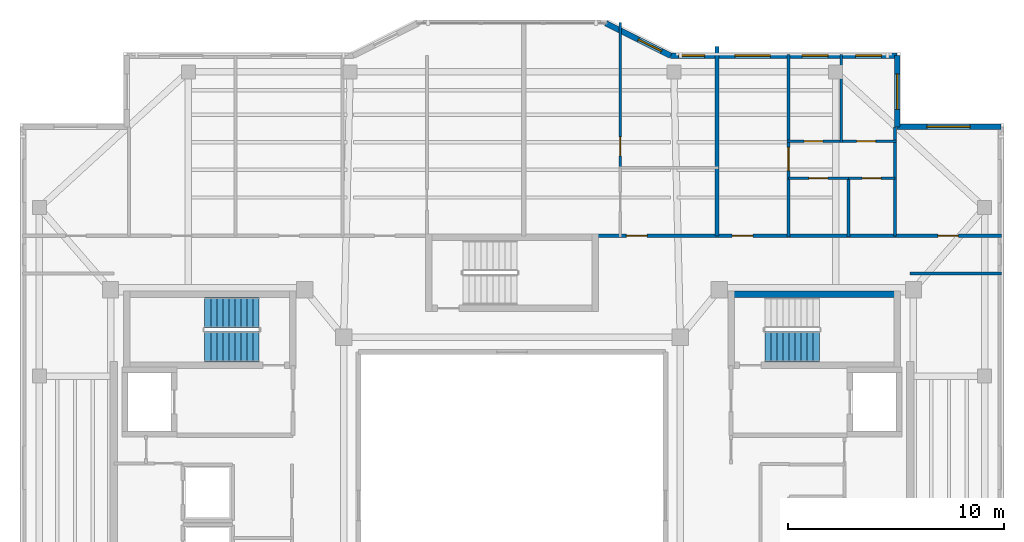
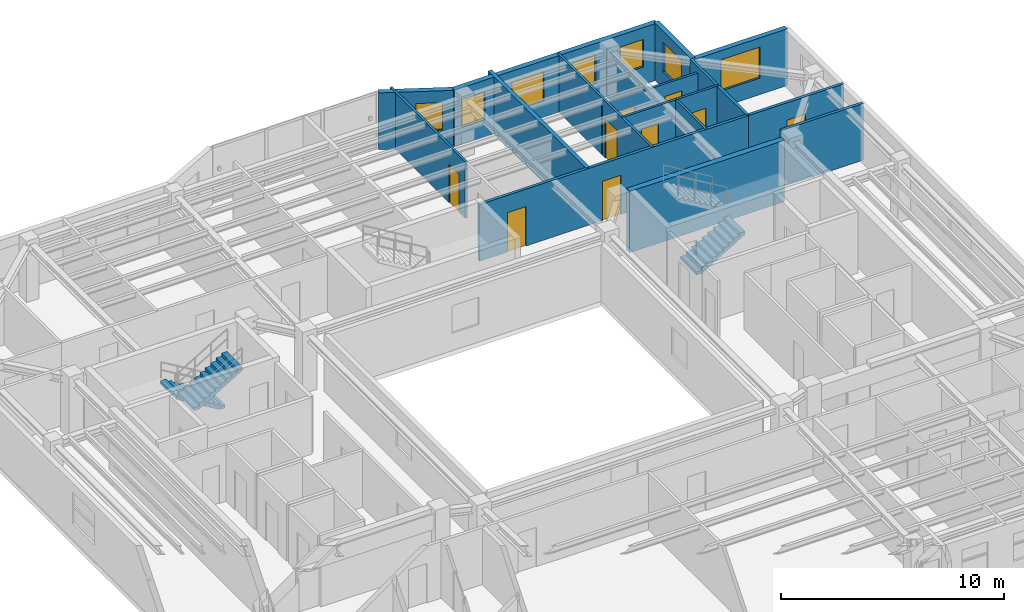
# One storey, part 10 of 14: 17 walls, 9 doors, 7 windows, 3 stair flights, 16 openings, 2 elements without a shape of their own.
"""IFC4 building model written with IfcOpenShell, lengths in metres."""

from ifc_helpers import new_model, si_unit, direction, frame, frame_2d, origin, place, context, subcontext, project, spatial, polyline, rectangle, outline, extrude, material, layer, layer_set, type_object, element, fill, aggregate, save


model = new_model("IFC4")

# Units and contexts
model_context = context("Model", 3, precision=1e-05, world=origin(), true_north=direction((0.0, 1.0)))
body_context = subcontext(model_context, "Body", "Model", "MODEL_VIEW")
ifc_project = project(units=[si_unit("LENGTHUNIT", "METRE"), si_unit("AREAUNIT", "SQUARE_METRE"), si_unit("VOLUMEUNIT", "CUBIC_METRE"), si_unit("PLANEANGLEUNIT", "RADIAN"), si_unit("MASSUNIT", "GRAM", prefix="KILO")], contexts=[model_context])

# Site, building, storey
site_placement = place(None, origin())
site = spatial("IfcSite", under=ifc_project, at=site_placement, CompositionType="ELEMENT")
building_placement = place(site_placement, origin())
building = spatial("IfcBuilding", under=site, at=building_placement, Name="Tarnavaz Court Tower", CompositionType="ELEMENT")
storey_placement = place(building_placement, frame((0.0, 0.0, 254.89990234375)))
storey = spatial("IfcBuildingStorey", under=building, at=storey_placement, Name="L69", CompositionType="ELEMENT", Elevation=254.89990234375)

# Wall
ifc_material_1 = material(Name="Concrete C50/60", Category="concrete")
ifc_layer_1 = layer(ifc_material_1, 0.300048828125)
ifc_layer_set_1 = layer_set([ifc_layer_1], Name="Concrete C50/60")
wall_type_1 = type_object("IfcWallType", Name="WL-CORE-300-C50", PredefinedType="SHEAR", material=ifc_layer_set_1)
wall_1_placement = place(storey_placement, frame((10.0, 9.7900390625, 0.0), z_axis=(0.0, 0.0, 1.0), x_axis=(1.0, 0.0, 0.0)))
element("IfcWall", 1, at=wall_1_placement, inside=storey, type_object=wall_type_1, Name="L69 East Stair Core Wall 005", PredefinedType="SHEAR", context=body_context, shape_type="SweptSolid", body=[
    extrude(rectangle(XDim=8.0, YDim=0.300048828125, at=frame_2d((4.0, 0.0))), origin(), (0.0, 0.0, 1.0), 3.35009765625),
])

# Wall, opening, window
ifc_material_2 = material(Name="Precast Concrete C40/50", Category="concrete")
ifc_layer_2 = layer(ifc_material_2, 0.260009765625)
ifc_layer_set_2 = layer_set([ifc_layer_2], Name="Precast Concrete C40/50")
wall_type_2 = type_object("IfcWallType", Name="WL-EXT-260", PredefinedType="SOLIDWALL", material=ifc_layer_set_2)
wall_2_placement = place(storey_placement, frame((4.35009765625, 22.35009765625, 0.0), z_axis=(0.0, 0.0, 1.0), x_axis=(0.894427191, -0.4472135955, 0.0)))
wall_2 = element("IfcWall", 2, at=wall_2_placement, inside=storey, type_object=wall_type_2, Name="L69 Exterior Terracotta Facade Wall 08", PredefinedType="SOLIDWALL", context=body_context, shape_type="SweptSolid", body=[
    extrude(rectangle(XDim=3.35400390625, YDim=0.260009765625, at=frame_2d((1.677001953125, 0.0))), origin(), (0.0, 0.0, 1.0), 3.10009765625),
])
opening_1_placement = place(wall_2_placement, frame((1.677978515625, 0.0, 0.949951171875)))
opening_1 = element("IfcOpeningElement", 3, at=opening_1_placement, cuts=wall_2, Name="Opening W05", PredefinedType="OPENING", context=body_context, shape_type="SweptSolid", body=[
    extrude(rectangle(XDim=1.199951171875, YDim=1.5, at=frame_2d((0.60009765625, 0.75))), frame((0.0, 0.139892578125, 0.0), z_axis=(0.0, -1.0, 0.0), x_axis=(1.0, 0.0, 0.0)), (0.0, 0.0, 1.0), 0.280029296875),
])
ifc_material_3 = material(Name="Double-Glazed Solar Low-E Glass", Category="glass")
window_type_1 = type_object("IfcWindowType", Name="WN-APT-1200", PartitioningType="SINGLE_PANEL", PredefinedType="WINDOW", material=ifc_material_3)
window_1_placement = place(opening_1_placement, origin())
window_1 = element("IfcWindow", 4, at=window_1_placement, inside=storey, type_object=window_type_1, Name="L69 Flat 01 Kitchen Window", OverallHeight=1.5, OverallWidth=1.199951171875, PartitioningType="SINGLE_PANEL", PredefinedType="WINDOW", context=body_context, shape_type="SweptSolid", body=[
    extrude(rectangle(XDim=1.199951171875, YDim=1.5, at=frame_2d((0.60009765625, 0.75))), frame((0.0, 0.030029296875, 0.0), z_axis=(0.0, -1.0, 0.0), x_axis=(1.0, 0.0, 0.0)), (0.0, 0.0, 1.0), 0.06005859375),
])
fill(opening_1, window_1)

# Wall, openings, windows
wall_3_placement = place(storey_placement, frame((7.35009765625, 20.85009765625, 0.0), z_axis=(0.0, 0.0, 1.0), x_axis=(1.0, 0.0, 0.0)))
wall_3 = element("IfcWall", 5, at=wall_3_placement, inside=storey, type_object=wall_type_2, Name="L69 Exterior Terracotta Facade Wall 09", PredefinedType="SOLIDWALL", context=body_context, shape_type="SweptSolid", body=[
    extrude(rectangle(XDim=10.5, YDim=0.260009765625, at=frame_2d((5.25, 0.0))), origin(), (0.0, 0.0, 1.0), 3.10009765625),
])
opening_2_placement = place(wall_3_placement, frame((0.375, 0.0, 0.949951171875)))
opening_2 = element("IfcOpeningElement", 6, at=opening_2_placement, cuts=wall_3, Name="Opening W05", PredefinedType="OPENING", context=body_context, shape_type="SweptSolid", body=[
    extrude(rectangle(XDim=1.199951171875, YDim=1.5, at=frame_2d((0.60009765625, 0.75))), frame((0.0, 0.139892578125, 0.0), z_axis=(0.0, -1.0, 0.0), x_axis=(1.0, 0.0, 0.0)), (0.0, 0.0, 1.0), 0.280029296875),
])
opening_3_placement = place(wall_3_placement, frame((2.97509765625, 0.0, 0.89990234375)))
opening_3 = element("IfcOpeningElement", 7, at=opening_3_placement, cuts=wall_3, Name="Opening W02", PredefinedType="OPENING", context=body_context, shape_type="SweptSolid", body=[
    extrude(rectangle(XDim=1.64990234375, YDim=1.60009765625, at=frame_2d((0.824951171875, 0.800048828125))), frame((0.0, 0.139892578125, 0.0), z_axis=(0.0, -1.0, 0.0), x_axis=(1.0, 0.0, 0.0)), (0.0, 0.0, 1.0), 0.280029296875),
])
opening_4_placement = place(wall_3_placement, frame((6.10009765625, 0.0, 0.949951171875)))
opening_4 = element("IfcOpeningElement", 8, at=opening_4_placement, cuts=wall_3, Name="Opening W05", PredefinedType="OPENING", context=body_context, shape_type="SweptSolid", body=[
    extrude(rectangle(XDim=1.199951171875, YDim=1.5, at=frame_2d((0.60009765625, 0.75))), frame((0.0, 0.139892578125, 0.0), z_axis=(0.0, -1.0, 0.0), x_axis=(1.0, 0.0, 0.0)), (0.0, 0.0, 1.0), 0.280029296875),
])
opening_5_placement = place(wall_3_placement, frame((8.574951171875, 0.0, 0.949951171875)))
opening_5 = element("IfcOpeningElement", 9, at=opening_5_placement, cuts=wall_3, Name="Opening W05", PredefinedType="OPENING", context=body_context, shape_type="SweptSolid", body=[
    extrude(rectangle(XDim=1.199951171875, YDim=1.5, at=frame_2d((0.60009765625, 0.75))), frame((0.0, 0.139892578125, 0.0), z_axis=(0.0, -1.0, 0.0), x_axis=(1.0, 0.0, 0.0)), (0.0, 0.0, 1.0), 0.280029296875),
])
window_2_placement = place(opening_2_placement, origin())
window_2 = element("IfcWindow", 10, at=window_2_placement, inside=storey, type_object=window_type_1, Name="L69 Flat 01 Kitchen Window", OverallHeight=1.5, OverallWidth=1.199951171875, PartitioningType="SINGLE_PANEL", PredefinedType="WINDOW", context=body_context, shape_type="SweptSolid", body=[
    extrude(rectangle(XDim=1.199951171875, YDim=1.5, at=frame_2d((0.60009765625, 0.75))), frame((0.0, 0.030029296875, 0.0), z_axis=(0.0, -1.0, 0.0), x_axis=(1.0, 0.0, 0.0)), (0.0, 0.0, 1.0), 0.06005859375),
])
fill(opening_2, window_2)
window_3_placement = place(opening_4_placement, origin())
window_3 = element("IfcWindow", 11, at=window_3_placement, inside=storey, type_object=window_type_1, Name="L69 Flat 02 Principal Bedroom Window", OverallHeight=1.5, OverallWidth=1.199951171875, PartitioningType="SINGLE_PANEL", PredefinedType="WINDOW", context=body_context, shape_type="SweptSolid", body=[
    extrude(rectangle(XDim=1.199951171875, YDim=1.5, at=frame_2d((0.60009765625, 0.75))), frame((0.0, 0.030029296875, 0.0), z_axis=(0.0, -1.0, 0.0), x_axis=(1.0, 0.0, 0.0)), (0.0, 0.0, 1.0), 0.06005859375),
])
fill(opening_4, window_3)
window_4_placement = place(opening_5_placement, origin())
window_4 = element("IfcWindow", 12, at=window_4_placement, inside=storey, type_object=window_type_1, Name="L69 Flat 02 Bedroom 2 Window", OverallHeight=1.5, OverallWidth=1.199951171875, PartitioningType="SINGLE_PANEL", PredefinedType="WINDOW", context=body_context, shape_type="SweptSolid", body=[
    extrude(rectangle(XDim=1.199951171875, YDim=1.5, at=frame_2d((0.60009765625, 0.75))), frame((0.0, 0.030029296875, 0.0), z_axis=(0.0, -1.0, 0.0), x_axis=(1.0, 0.0, 0.0)), (0.0, 0.0, 1.0), 0.06005859375),
])
fill(opening_5, window_4)
window_type_2 = type_object("IfcWindowType", Name="WN-APT-1650", PartitioningType="DOUBLE_PANEL_VERTICAL", PredefinedType="WINDOW", material=ifc_material_3)
window_5_placement = place(opening_3_placement, origin())
window_5 = element("IfcWindow", 13, at=window_5_placement, inside=storey, type_object=window_type_2, Name="L69 Flat 02 Living and Dining Room Window", OverallHeight=1.60009765625, OverallWidth=1.64990234375, PartitioningType="SINGLE_PANEL", PredefinedType="WINDOW", context=body_context, shape_type="SweptSolid", body=[
    extrude(rectangle(XDim=1.64990234375, YDim=1.60009765625, at=frame_2d((0.824951171875, 0.800048828125))), frame((0.0, 0.030029296875, 0.0), z_axis=(0.0, -1.0, 0.0), x_axis=(1.0, 0.0, 0.0)), (0.0, 0.0, 1.0), 0.06005859375),
])
fill(opening_3, window_5)

# Wall, opening, window
wall_4_placement = place(storey_placement, frame((17.85009765625, 20.85009765625, 0.0), z_axis=(0.0, 0.0, 1.0), x_axis=(0.0, -1.0, 0.0)))
wall_4 = element("IfcWall", 14, at=wall_4_placement, inside=storey, type_object=wall_type_2, Name="L69 Exterior Terracotta Facade Wall 10", PredefinedType="SOLIDWALL", context=body_context, shape_type="SweptSolid", body=[
    extrude(rectangle(XDim=3.300048828125, YDim=0.260009765625, at=frame_2d((1.64990234375, 0.0))), origin(), (0.0, 0.0, 1.0), 3.10009765625),
])
opening_6_placement = place(wall_4_placement, frame((0.842529296875, 0.0, 0.89990234375)))
opening_6 = element("IfcOpeningElement", 15, at=opening_6_placement, cuts=wall_4, Name="Opening W02", PredefinedType="OPENING", context=body_context, shape_type="SweptSolid", body=[
    extrude(rectangle(XDim=1.64990234375, YDim=1.60009765625, at=frame_2d((0.824951171875, 0.800048828125))), frame((0.0, 0.139892578125, 0.0), z_axis=(0.0, -1.0, 0.0), x_axis=(1.0, 0.0, 0.0)), (0.0, 0.0, 1.0), 0.280029296875),
])
window_6_placement = place(opening_6_placement, origin())
window_6 = element("IfcWindow", 16, at=window_6_placement, inside=storey, type_object=window_type_2, Name="L69 Flat 02 Bedroom 2 Window", OverallHeight=1.60009765625, OverallWidth=1.64990234375, PartitioningType="SINGLE_PANEL", PredefinedType="WINDOW", context=body_context, shape_type="SweptSolid", body=[
    extrude(rectangle(XDim=1.64990234375, YDim=1.60009765625, at=frame_2d((0.824951171875, 0.800048828125))), frame((0.0, 0.030029296875, 0.0), z_axis=(0.0, -1.0, 0.0), x_axis=(1.0, 0.0, 0.0)), (0.0, 0.0, 1.0), 0.06005859375),
])
fill(opening_6, window_6)

wall_5_placement = place(storey_placement, frame((17.85009765625, 17.550048828125, 0.0), z_axis=(0.0, 0.0, 1.0), x_axis=(1.0, 0.0, 0.0)))
wall_5 = element("IfcWall", 17, at=wall_5_placement, inside=storey, type_object=wall_type_2, Name="L69 Exterior Terracotta Facade Wall 11", PredefinedType="SOLIDWALL", context=body_context, shape_type="SweptSolid", body=[
    extrude(rectangle(XDim=4.7998046875, YDim=0.260009765625, at=frame_2d((2.39990234375, 0.0))), origin(), (0.0, 0.0, 1.0), 3.10009765625),
])
opening_7_placement = place(wall_5_placement, frame((1.374755859375, 0.0, 0.89990234375)))
opening_7 = element("IfcOpeningElement", 18, at=opening_7_placement, cuts=wall_5, Name="Opening W08", PredefinedType="OPENING", context=body_context, shape_type="SweptSolid", body=[
    extrude(rectangle(XDim=2.0, YDim=1.699951171875, at=frame_2d((1.0, 0.85009765625))), frame((0.0, 0.139892578125, 0.0), z_axis=(0.0, -1.0, 0.0), x_axis=(1.0, 0.0, 0.0)), (0.0, 0.0, 1.0), 0.280029296875),
])
window_type_3 = type_object("IfcWindowType", Name="WN-APT-2000", PartitioningType="DOUBLE_PANEL_VERTICAL", PredefinedType="WINDOW", material=ifc_material_3)
window_7_placement = place(opening_7_placement, origin())
window_7 = element("IfcWindow", 19, at=window_7_placement, inside=storey, type_object=window_type_3, Name="L69 North-East Corner Sunroom Study Window", OverallHeight=1.699951171875, OverallWidth=2.0, PartitioningType="SINGLE_PANEL", PredefinedType="WINDOW", context=body_context, shape_type="SweptSolid", body=[
    extrude(rectangle(XDim=2.0, YDim=1.699951171875, at=frame_2d((1.0, 0.85009765625))), frame((0.0, 0.030029296875, 0.0), z_axis=(0.0, -1.0, 0.0), x_axis=(1.0, 0.0, 0.0)), (0.0, 0.0, 1.0), 0.06005859375),
])
fill(opening_7, window_7)

# Wall, openings, doors
ifc_material_4 = material(Name="Gypsum Fire-Board on Acoustic Metal Stud", Category="masonry")
ifc_layer_3 = layer(ifc_material_4, 0.14990234375)
ifc_layer_set_3 = layer_set([ifc_layer_3], Name="Gypsum Fire-Board on Acoustic Metal Stud")
wall_type_3 = type_object("IfcWallType", Name="WL-FIRE-150", PredefinedType="PARTITIONING", material=ifc_layer_set_3)
wall_6_placement = place(storey_placement, frame((3.85009765625, 12.5, 0.0), z_axis=(0.0, 0.0, 1.0), x_axis=(1.0, 0.0, 0.0)))
wall_6 = element("IfcWall", 20, at=wall_6_placement, inside=storey, type_object=wall_type_3, Name="L69 NE Wing Corridor Wall 061", PredefinedType="PARTITIONING", context=body_context, shape_type="SweptSolid", body=[
    extrude(rectangle(XDim=13.89990234375, YDim=0.14990234375, at=frame_2d((6.949951171875, 0.0))), origin(), (0.0, 0.0, 1.0), 3.10009765625),
])
opening_8_placement = place(wall_6_placement, frame((1.449951171875, 0.0, 0.0)))
opening_8 = element("IfcOpeningElement", 21, at=opening_8_placement, cuts=wall_6, Name="Opening D06", PredefinedType="OPENING", context=body_context, shape_type="SweptSolid", body=[
    extrude(rectangle(XDim=0.9599609375, YDim=2.14990234375, at=frame_2d((0.47998046875, 1.074951171875))), frame((0.0, 0.0849609375, 0.0), z_axis=(0.0, -1.0, 0.0), x_axis=(1.0, 0.0, 0.0)), (0.0, 0.0, 1.0), 0.169921875),
])
opening_9_placement = place(wall_6_placement, frame((6.35009765625, 0.0, 0.0)))
opening_9 = element("IfcOpeningElement", 22, at=opening_9_placement, cuts=wall_6, Name="Opening D06", PredefinedType="OPENING", context=body_context, shape_type="SweptSolid", body=[
    extrude(rectangle(XDim=0.9599609375, YDim=2.14990234375, at=frame_2d((0.47998046875, 1.074951171875))), frame((0.0, 0.0849609375, 0.0), z_axis=(0.0, -1.0, 0.0), x_axis=(1.0, 0.0, 0.0)), (0.0, 0.0, 1.0), 0.169921875),
])
ifc_material_5 = material(Name="Fire-Rated Hardwood Timber Core", Category="wood")
door_type_1 = type_object("IfcDoorType", Name="DR-FD60-950", OperationType="NOTDEFINED", PredefinedType="DOOR", material=ifc_material_5)
door_1_placement = place(opening_8_placement, origin())
door_1 = element("IfcDoor", 23, at=door_1_placement, inside=storey, type_object=door_type_1, Name="L69 Flat 01 Entrance Door", OperationType="SINGLE_SWING_RIGHT", OverallHeight=2.14990234375, OverallWidth=0.9599609375, PredefinedType="DOOR", context=body_context, shape_type="SweptSolid", body=[
    extrude(rectangle(XDim=0.9599609375, YDim=2.14990234375, at=frame_2d((0.47998046875, 1.074951171875))), frame((0.0, 0.02490234375, 0.0), z_axis=(0.0, -1.0, 0.0), x_axis=(1.0, 0.0, 0.0)), (0.0, 0.0, 1.0), 0.050048828125),
])
fill(opening_8, door_1)
door_2_placement = place(opening_9_placement, origin())
door_2 = element("IfcDoor", 24, at=door_2_placement, inside=storey, type_object=door_type_1, Name="L69 Flat 02 Entrance Door", OperationType="SINGLE_SWING_LEFT", OverallHeight=2.14990234375, OverallWidth=0.9599609375, PredefinedType="DOOR", context=body_context, shape_type="SweptSolid", body=[
    extrude(rectangle(XDim=0.9599609375, YDim=2.14990234375, at=frame_2d((0.47998046875, 1.074951171875))), frame((0.0, 0.02490234375, 0.0), z_axis=(0.0, -1.0, 0.0), x_axis=(1.0, 0.0, 0.0)), (0.0, 0.0, 1.0), 0.050048828125),
])
fill(opening_9, door_2)

# Wall
wall_7_placement = place(storey_placement, frame((18.449951171875, 10.75, 0.0), z_axis=(0.0, 0.0, 1.0), x_axis=(1.0, 0.0, 0.0)))
element("IfcWall", 25, at=wall_7_placement, inside=storey, type_object=wall_type_3, Name="L69 Interior Partition 099", PredefinedType="PARTITIONING", context=body_context, shape_type="SweptSolid", body=[
    extrude(rectangle(XDim=4.22998046875, YDim=0.14990234375, at=frame_2d((2.114990234375, 0.0))), origin(), (0.0, 0.0, 1.0), 3.10009765625),
])

# Wall, opening, door
wall_8_placement = place(storey_placement, frame((17.75, 12.5, 0.0), z_axis=(0.0, 0.0, 1.0), x_axis=(1.0, 0.0, 0.0)))
wall_8 = element("IfcWall", 26, at=wall_8_placement, inside=storey, type_object=wall_type_3, Name="L69 Interior Partition 105", PredefinedType="PARTITIONING", context=body_context, shape_type="SweptSolid", body=[
    extrude(rectangle(XDim=4.929931640625, YDim=0.14990234375, at=frame_2d((2.46484375, 0.0))), origin(), (0.0, 0.0, 1.0), 3.10009765625),
])
opening_10_placement = place(wall_8_placement, frame((1.989990234375, 0.0, 0.0)))
opening_10 = element("IfcOpeningElement", 27, at=opening_10_placement, cuts=wall_8, Name="Opening D13", PredefinedType="OPENING", context=body_context, shape_type="SweptSolid", body=[
    extrude(rectangle(XDim=0.949951171875, YDim=2.14990234375, at=frame_2d((0.47509765625, 1.074951171875))), frame((0.0, 0.0849609375, 0.0), z_axis=(0.0, -1.0, 0.0), x_axis=(1.0, 0.0, 0.0)), (0.0, 0.0, 1.0), 0.169921875),
])
ifc_material_6 = material(Name="Engineered Oak Timber", Category="wood")
door_type_2 = type_object("IfcDoorType", Name="DR-INT-950", OperationType="NOTDEFINED", PredefinedType="DOOR", material=ifc_material_6)
door_3_placement = place(opening_10_placement, origin())
door_3 = element("IfcDoor", 28, at=door_3_placement, inside=storey, type_object=door_type_2, Name="L69 NE Sunroom Door", OperationType="SINGLE_SWING_LEFT", OverallHeight=2.14990234375, OverallWidth=0.949951171875, PredefinedType="DOOR", context=body_context, shape_type="SweptSolid", body=[
    extrude(rectangle(XDim=0.949951171875, YDim=2.14990234375, at=frame_2d((0.47509765625, 1.074951171875))), frame((0.0, 0.02490234375, 0.0), z_axis=(0.0, -1.0, 0.0), x_axis=(1.0, 0.0, 0.0)), (0.0, 0.0, 1.0), 0.050048828125),
])
fill(opening_10, door_3)

# Wall
ifc_material_7 = material(Name="Autoclaved Aerated Concrete Blockwork", Category="masonry")
ifc_layer_4 = layer(ifc_material_7, 0.199951171875)
ifc_layer_set_4 = layer_set([ifc_layer_4], Name="Autoclaved Aerated Concrete Blockwork")
wall_type_4 = type_object("IfcWallType", Name="WL-FIRE-200", PredefinedType="SOLIDWALL", material=ifc_layer_set_4)
wall_9_placement = place(storey_placement, frame((9.5, 12.5, 0.0), z_axis=(0.0, 0.0, 1.0), x_axis=(0.0, 1.0, 0.0)))
element("IfcWall", 29, at=wall_9_placement, inside=storey, type_object=wall_type_4, Name="L69 Party Wall 068", PredefinedType="SOLIDWALL", context=body_context, shape_type="SweptSolid", body=[
    extrude(rectangle(XDim=8.77001953125, YDim=0.199951171875, at=frame_2d((4.385009765625, 0.0))), origin(), (0.0, 0.0, 1.0), 3.10009765625),
])

# Wall, opening, door
ifc_material_8 = material(Name="Moisture-Resistant Gypsum Board Partition", Category="masonry")
ifc_layer_5 = layer(ifc_material_8, 0.1201171875)
ifc_layer_set_5 = layer_set([ifc_layer_5], Name="Moisture-Resistant Gypsum Board Partition")
wall_type_5 = type_object("IfcWallType", Name="WL-PART-120", PredefinedType="PARTITIONING", material=ifc_layer_set_5)
wall_10_placement = place(storey_placement, frame((5.02490234375, 15.64990234375, 0.0), z_axis=(0.0, 0.0, 1.0), x_axis=(0.0, 1.0, 0.0)))
wall_10 = element("IfcWall", 30, at=wall_10_placement, inside=storey, type_object=wall_type_5, Name="L69 Interior Partition 070", PredefinedType="PARTITIONING", context=body_context, shape_type="SweptSolid", body=[
    extrude(rectangle(XDim=6.72412109375, YDim=0.1201171875, at=frame_2d((3.362060546875, 0.0))), origin(), (0.0, 0.0, 1.0), 3.10009765625),
])
opening_11_placement = place(wall_10_placement, frame((0.550048828125, 0.0, 0.0)))
opening_11 = element("IfcOpeningElement", 31, at=opening_11_placement, cuts=wall_10, Name="Opening D14", PredefinedType="OPENING", context=body_context, shape_type="SweptSolid", body=[
    extrude(rectangle(XDim=0.8798828125, YDim=2.10009765625, at=frame_2d((0.43994140625, 1.050048828125))), frame((0.0, 0.070068359375, 0.0), z_axis=(0.0, -1.0, 0.0), x_axis=(1.0, 0.0, 0.0)), (0.0, 0.0, 1.0), 0.14013671875),
])
door_type_3 = type_object("IfcDoorType", Name="DR-INT-900", OperationType="NOTDEFINED", PredefinedType="DOOR", material=ifc_material_6)
door_4_placement = place(opening_11_placement, origin())
door_4 = element("IfcDoor", 32, at=door_4_placement, inside=storey, type_object=door_type_3, Name="L69 Flat 01 Kitchen Door", OperationType="SINGLE_SWING_RIGHT", OverallHeight=2.10009765625, OverallWidth=0.8798828125, PredefinedType="DOOR", context=body_context, shape_type="SweptSolid", body=[
    extrude(rectangle(XDim=0.8798828125, YDim=2.10009765625, at=frame_2d((0.43994140625, 1.050048828125))), frame((0.0, 0.02490234375, 0.0), z_axis=(0.0, -1.0, 0.0), x_axis=(1.0, 0.0, 0.0)), (0.0, 0.0, 1.0), 0.050048828125),
])
fill(opening_11, door_4)

wall_11_placement = place(storey_placement, frame((12.81201171875, 12.43994140625, 0.0), z_axis=(0.0, 0.0, 1.0), x_axis=(0.0, 1.0, 0.0)))
wall_11 = element("IfcWall", 33, at=wall_11_placement, inside=storey, type_object=wall_type_5, Name="L69 Interior Partition 072", PredefinedType="PARTITIONING", context=body_context, shape_type="SweptSolid", body=[
    extrude(rectangle(XDim=8.4599609375, YDim=0.1201171875, at=frame_2d((4.22998046875, 0.0))), origin(), (0.0, 0.0, 1.0), 3.10009765625),
])
opening_12_placement = place(wall_11_placement, frame((3.074951171875, 0.0, 0.0)))
opening_12 = element("IfcOpeningElement", 34, at=opening_12_placement, cuts=wall_11, Name="Opening D12", PredefinedType="OPENING", context=body_context, shape_type="SweptSolid", body=[
    extrude(rectangle(XDim=1.080078125, YDim=2.14990234375, at=frame_2d((0.5400390625, 1.074951171875))), frame((0.0, 0.070068359375, 0.0), z_axis=(0.0, -1.0, 0.0), x_axis=(1.0, 0.0, 0.0)), (0.0, 0.0, 1.0), 0.14013671875),
])
door_type_4 = type_object("IfcDoorType", Name="DR-INT-1100", OperationType="NOTDEFINED", PredefinedType="DOOR", material=ifc_material_6)
door_5_placement = place(opening_12_placement, origin())
door_5 = element("IfcDoor", 35, at=door_5_placement, inside=storey, type_object=door_type_4, Name="L69 Flat 02 Foyer Door", OperationType="SINGLE_SWING_RIGHT", OverallHeight=2.14990234375, OverallWidth=1.080078125, PredefinedType="DOOR", context=body_context, shape_type="SweptSolid", body=[
    extrude(rectangle(XDim=1.080078125, YDim=2.14990234375, at=frame_2d((0.5400390625, 1.074951171875))), frame((0.0, 0.02490234375, 0.0), z_axis=(0.0, -1.0, 0.0), x_axis=(1.0, 0.0, 0.0)), (0.0, 0.0, 1.0), 0.050048828125),
])
fill(opening_12, door_5)

wall_12_placement = place(storey_placement, frame((12.81201171875, 15.169921875, 0.0), z_axis=(0.0, 0.0, 1.0), x_axis=(1.0, 0.0, 0.0)))
wall_12 = element("IfcWall", 36, at=wall_12_placement, inside=storey, type_object=wall_type_5, Name="L69 Interior Partition 073", PredefinedType="PARTITIONING", context=body_context, shape_type="SweptSolid", body=[
    extrude(rectangle(XDim=2.780029296875, YDim=0.1201171875, at=frame_2d((1.39013671875, 0.0))), origin(), (0.0, 0.0, 1.0), 3.10009765625),
])
opening_13_placement = place(wall_12_placement, frame((0.949951171875, 0.0, 0.0)))
opening_13 = element("IfcOpeningElement", 37, at=opening_13_placement, cuts=wall_12, Name="Opening D14", PredefinedType="OPENING", context=body_context, shape_type="SweptSolid", body=[
    extrude(rectangle(XDim=0.8798828125, YDim=2.10009765625, at=frame_2d((0.43994140625, 1.050048828125))), frame((0.0, 0.070068359375, 0.0), z_axis=(0.0, -1.0, 0.0), x_axis=(1.0, 0.0, 0.0)), (0.0, 0.0, 1.0), 0.14013671875),
])
door_6_placement = place(opening_13_placement, origin())
door_6 = element("IfcDoor", 38, at=door_6_placement, inside=storey, type_object=door_type_3, Name="L69 Flat 02 Kitchen Door", OperationType="SINGLE_SWING_LEFT", OverallHeight=2.10009765625, OverallWidth=0.8798828125, PredefinedType="DOOR", context=body_context, shape_type="SweptSolid", body=[
    extrude(rectangle(XDim=0.8798828125, YDim=2.10009765625, at=frame_2d((0.43994140625, 1.050048828125))), frame((0.0, 0.02490234375, 0.0), z_axis=(0.0, -1.0, 0.0), x_axis=(1.0, 0.0, 0.0)), (0.0, 0.0, 1.0), 0.050048828125),
])
fill(opening_13, door_6)

wall_13_placement = place(storey_placement, frame((15.592041015625, 15.169921875, 0.0), z_axis=(0.0, 0.0, 1.0), x_axis=(1.0, 0.0, 0.0)))
wall_13 = element("IfcWall", 39, at=wall_13_placement, inside=storey, type_object=wall_type_5, Name="L69 Interior Partition 074", PredefinedType="PARTITIONING", context=body_context, shape_type="SweptSolid", body=[
    extrude(rectangle(XDim=2.157958984375, YDim=0.1201171875, at=frame_2d((1.0791015625, 0.0))), origin(), (0.0, 0.0, 1.0), 3.10009765625),
])
opening_14_placement = place(wall_13_placement, frame((0.638916015625, 0.0, 0.0)))
opening_14 = element("IfcOpeningElement", 40, at=opening_14_placement, cuts=wall_13, Name="Opening D14", PredefinedType="OPENING", context=body_context, shape_type="SweptSolid", body=[
    extrude(rectangle(XDim=0.8798828125, YDim=2.10009765625, at=frame_2d((0.43994140625, 1.050048828125))), frame((0.0, 0.070068359375, 0.0), z_axis=(0.0, -1.0, 0.0), x_axis=(1.0, 0.0, 0.0)), (0.0, 0.0, 1.0), 0.14013671875),
])
door_7_placement = place(opening_14_placement, origin())
door_7 = element("IfcDoor", 41, at=door_7_placement, inside=storey, type_object=door_type_3, Name="L69 Flat 02 Bathroom Door", OperationType="SINGLE_SWING_RIGHT", OverallHeight=2.10009765625, OverallWidth=0.8798828125, PredefinedType="DOOR", context=body_context, shape_type="SweptSolid", body=[
    extrude(rectangle(XDim=0.8798828125, YDim=2.10009765625, at=frame_2d((0.43994140625, 1.050048828125))), frame((0.0, 0.02490234375, 0.0), z_axis=(0.0, -1.0, 0.0), x_axis=(1.0, 0.0, 0.0)), (0.0, 0.0, 1.0), 0.050048828125),
])
fill(opening_14, door_7)

# Wall, openings, doors
wall_14_placement = place(storey_placement, frame((12.751953125, 16.8798828125, 0.0), z_axis=(0.0, 0.0, 1.0), x_axis=(1.0, 0.0, 0.0)))
wall_14 = element("IfcWall", 42, at=wall_14_placement, inside=storey, type_object=wall_type_5, Name="L69 Interior Partition 075", PredefinedType="PARTITIONING", context=body_context, shape_type="SweptSolid", body=[
    extrude(rectangle(XDim=5.05810546875, YDim=0.1201171875, at=frame_2d((2.529052734375, 0.0))), origin(), (0.0, 0.0, 1.0), 2.78515625),
])
opening_15_placement = place(wall_14_placement, frame((0.780029296875, 0.0, 0.0)))
opening_15 = element("IfcOpeningElement", 43, at=opening_15_placement, cuts=wall_14, Name="Opening D14", PredefinedType="OPENING", context=body_context, shape_type="SweptSolid", body=[
    extrude(rectangle(XDim=0.8798828125, YDim=2.10009765625, at=frame_2d((0.43994140625, 1.050048828125))), frame((0.0, 0.070068359375, 0.0), z_axis=(0.0, -1.0, 0.0), x_axis=(1.0, 0.0, 0.0)), (0.0, 0.0, 1.0), 0.14013671875),
])
opening_16_placement = place(wall_14_placement, frame((3.218994140625, 0.0, 0.0)))
opening_16 = element("IfcOpeningElement", 44, at=opening_16_placement, cuts=wall_14, Name="Opening D14", PredefinedType="OPENING", context=body_context, shape_type="SweptSolid", body=[
    extrude(rectangle(XDim=0.8798828125, YDim=2.10009765625, at=frame_2d((0.43994140625, 1.050048828125))), frame((0.0, 0.070068359375, 0.0), z_axis=(0.0, -1.0, 0.0), x_axis=(1.0, 0.0, 0.0)), (0.0, 0.0, 1.0), 0.14013671875),
])
door_8_placement = place(opening_15_placement, origin())
door_8 = element("IfcDoor", 45, at=door_8_placement, inside=storey, type_object=door_type_3, Name="L69 Flat 02 Bedroom 1 Door", OperationType="SINGLE_SWING_LEFT", OverallHeight=2.10009765625, OverallWidth=0.8798828125, PredefinedType="DOOR", context=body_context, shape_type="SweptSolid", body=[
    extrude(rectangle(XDim=0.8798828125, YDim=2.10009765625, at=frame_2d((0.43994140625, 1.050048828125))), frame((0.0, 0.02490234375, 0.0), z_axis=(0.0, -1.0, 0.0), x_axis=(1.0, 0.0, 0.0)), (0.0, 0.0, 1.0), 0.050048828125),
])
fill(opening_15, door_8)
door_9_placement = place(opening_16_placement, origin())
door_9 = element("IfcDoor", 46, at=door_9_placement, inside=storey, type_object=door_type_3, Name="L69 Flat 02 Bedroom 2 Door", OperationType="SINGLE_SWING_RIGHT", OverallHeight=2.10009765625, OverallWidth=0.8798828125, PredefinedType="DOOR", context=body_context, shape_type="SweptSolid", body=[
    extrude(rectangle(XDim=0.8798828125, YDim=2.10009765625, at=frame_2d((0.43994140625, 1.050048828125))), frame((0.0, 0.02490234375, 0.0), z_axis=(0.0, -1.0, 0.0), x_axis=(1.0, 0.0, 0.0)), (0.0, 0.0, 1.0), 0.050048828125),
])
fill(opening_16, door_9)

# Walls
wall_15_placement = place(storey_placement, frame((15.592041015625, 12.43994140625, 0.0), z_axis=(0.0, 0.0, 1.0), x_axis=(0.0, 1.0, 0.0)))
element("IfcWall", 47, at=wall_15_placement, inside=storey, type_object=wall_type_5, Name="L69 Interior Partition 076", PredefinedType="PARTITIONING", context=body_context, shape_type="SweptSolid", body=[
    extrude(rectangle(XDim=2.7900390625, YDim=0.1201171875, at=frame_2d((1.39501953125, 0.0))), origin(), (0.0, 0.0, 1.0), 3.10009765625),
])
wall_16_placement = place(storey_placement, frame((15.2509765625, 16.820068359375, 0.0), z_axis=(0.0, 0.0, 1.0), x_axis=(0.0, 1.0, 0.0)))
element("IfcWall", 48, at=wall_16_placement, inside=storey, type_object=wall_type_5, Name="L69 Interior Partition 077", PredefinedType="PARTITIONING", context=body_context, shape_type="SweptSolid", body=[
    extrude(rectangle(XDim=4.079833984375, YDim=0.1201171875, at=frame_2d((2.0400390625, 0.0))), origin(), (0.0, 0.0, 1.0), 2.68505859375),
])
ifc_material_9 = material(Name="Gypsum Plasterboard Acoustic Partition", Category="masonry")
ifc_layer_6 = layer(ifc_material_9, 0.139892578125)
ifc_layer_set_6 = layer_set([ifc_layer_6], Name="Gypsum Plasterboard Acoustic Partition")
wall_type_6 = type_object("IfcWallType", Name="WL-PART-150", PredefinedType="PARTITIONING", material=ifc_layer_set_6)
wall_17_placement = place(storey_placement, frame((17.75, 12.5, 0.0), z_axis=(0.0, 0.0, 1.0), x_axis=(0.0, 1.0, 0.0)))
element("IfcWall", 49, at=wall_17_placement, inside=storey, type_object=wall_type_6, Name="L69 Interior Partition 103", PredefinedType="PARTITIONING", context=body_context, shape_type="SweptSolid", body=[
    extrude(rectangle(XDim=5.050048828125, YDim=0.139892578125, at=frame_2d((2.52490234375, 0.0))), origin(), (0.0, 0.0, 1.0), 3.10009765625),
])

# Stair, stair flights
ifc_material_10 = material(Name="Concrete C40/50", Category="concrete")
stair_type = type_object("IfcStairType", Name="ST-TWR-20R", PredefinedType="HALF_TURN_STAIR", material=ifc_material_10)
stair_1_placement = place(storey_placement, origin())
stair_1 = element("IfcStair", 50, at=stair_1_placement, inside=storey, type_object=stair_type, Name="L69 West Core Pressurized Exit Stair ST-W1", PredefinedType="HALF_TURN_STAIR")
stair_flight_type = type_object("IfcStairFlightType", Name="SFL-RC-20R", PredefinedType="STRAIGHT", material=ifc_material_10)
stair_flight_1_placement = place(storey_placement, frame((-11.719970703125, 8.929931640625, 0.0), z_axis=(0.0, 0.0, 1.0), x_axis=(-1.0, 0.0, 0.0)))
stair_flight_1 = element("IfcStairFlight", 51, at=stair_flight_1_placement, type_object=stair_flight_type, Name="ST-W1 flight 1", NumberOfRisers=10, NumberOfTreads=9, PredefinedType="STRAIGHT", RiserHeight=0.1675, TreadLength=0.28, context=body_context, shape_type="SweptSolid", body=[
    extrude(outline(polyline([(0.0, 0.0), (0.0, 0.16748046875), (0.280029296875, 0.16748046875), (0.280029296875, 0.3349609375), (0.56005859375, 0.3349609375), (0.56005859375, 0.50244140625), (0.840087890625, 0.50244140625), (0.840087890625, 0.669921875), (1.1201171875, 0.669921875), (1.1201171875, 0.83740234375), (1.39990234375, 0.83740234375), (1.39990234375, 1.0048828125), (1.679931640625, 1.0048828125), (1.679931640625, 1.172607421875), (1.9599609375, 1.172607421875), (1.9599609375, 1.340087890625), (2.239990234375, 1.340087890625), (2.239990234375, 1.507568359375), (2.52001953125, 1.507568359375), (2.52001953125, 1.675048828125), (2.52001953125, 1.332763671875), (0.2919921875, 0.0), (0.0, 0.0)])), frame((0.0, 0.7099609375, 0.0), z_axis=(0.0, -1.0, 0.0), x_axis=(1.0, 0.0, 0.0)), (0.0, 0.0, 1.0), 1.419921875),
])
stair_flight_2_placement = place(storey_placement, frame((-14.239990234375, 7.360107421875, 1.675048828125), z_axis=(0.0, 0.0, 1.0), x_axis=(1.0, 0.0, 0.0)))
stair_flight_2 = element("IfcStairFlight", 52, at=stair_flight_2_placement, type_object=stair_flight_type, Name="ST-W1 flight 2", NumberOfRisers=10, NumberOfTreads=9, PredefinedType="STRAIGHT", RiserHeight=0.1675, TreadLength=0.28, context=body_context, shape_type="SweptSolid", body=[
    extrude(outline(polyline([(0.0, 0.0), (0.0, 0.16748046875), (0.280029296875, 0.16748046875), (0.280029296875, 0.3349609375), (0.56005859375, 0.3349609375), (0.56005859375, 0.50244140625), (0.840087890625, 0.50244140625), (0.840087890625, 0.669921875), (1.1201171875, 0.669921875), (1.1201171875, 0.83740234375), (1.39990234375, 0.83740234375), (1.39990234375, 1.0048828125), (1.679931640625, 1.0048828125), (1.679931640625, 1.172607421875), (1.9599609375, 1.172607421875), (1.9599609375, 1.340087890625), (2.239990234375, 1.340087890625), (2.239990234375, 1.507568359375), (2.52001953125, 1.507568359375), (2.52001953125, 1.675048828125), (2.52001953125, 1.332763671875), (0.2919921875, 0.0), (0.0, 0.0)])), frame((0.0, 0.7099609375, 0.0), z_axis=(0.0, -1.0, 0.0), x_axis=(1.0, 0.0, 0.0)), (0.0, 0.0, 1.0), 1.419921875),
])
aggregate(stair_1, [stair_flight_1, stair_flight_2])

# Stair, stair flight
stair_2_placement = place(storey_placement, origin())
stair_2 = element("IfcStair", 53, at=stair_2_placement, inside=storey, type_object=stair_type, Name="L69 East Core Pressurized Exit Stair ST-E1", PredefinedType="HALF_TURN_STAIR")
stair_flight_3_placement = place(storey_placement, frame((11.719970703125, 7.360107421875, 0.0), z_axis=(0.0, 0.0, 1.0), x_axis=(1.0, 0.0, 0.0)))
stair_flight_3 = element("IfcStairFlight", 54, at=stair_flight_3_placement, type_object=stair_flight_type, Name="ST-E1 flight 1", NumberOfRisers=10, NumberOfTreads=9, PredefinedType="STRAIGHT", RiserHeight=0.1675, TreadLength=0.28, context=body_context, shape_type="SweptSolid", body=[
    extrude(outline(polyline([(0.0, 0.0), (0.0, 0.16748046875), (0.280029296875, 0.16748046875), (0.280029296875, 0.3349609375), (0.56005859375, 0.3349609375), (0.56005859375, 0.50244140625), (0.840087890625, 0.50244140625), (0.840087890625, 0.669921875), (1.1201171875, 0.669921875), (1.1201171875, 0.83740234375), (1.39990234375, 0.83740234375), (1.39990234375, 1.0048828125), (1.679931640625, 1.0048828125), (1.679931640625, 1.172607421875), (1.9599609375, 1.172607421875), (1.9599609375, 1.340087890625), (2.239990234375, 1.340087890625), (2.239990234375, 1.507568359375), (2.52001953125, 1.507568359375), (2.52001953125, 1.675048828125), (2.52001953125, 1.332763671875), (0.2919921875, 0.0), (0.0, 0.0)])), frame((0.0, 0.7099609375, 0.0), z_axis=(0.0, -1.0, 0.0), x_axis=(1.0, 0.0, 0.0)), (0.0, 0.0, 1.0), 1.419921875),
])
aggregate(stair_2, [stair_flight_3])

save(model, "model.ifc")
